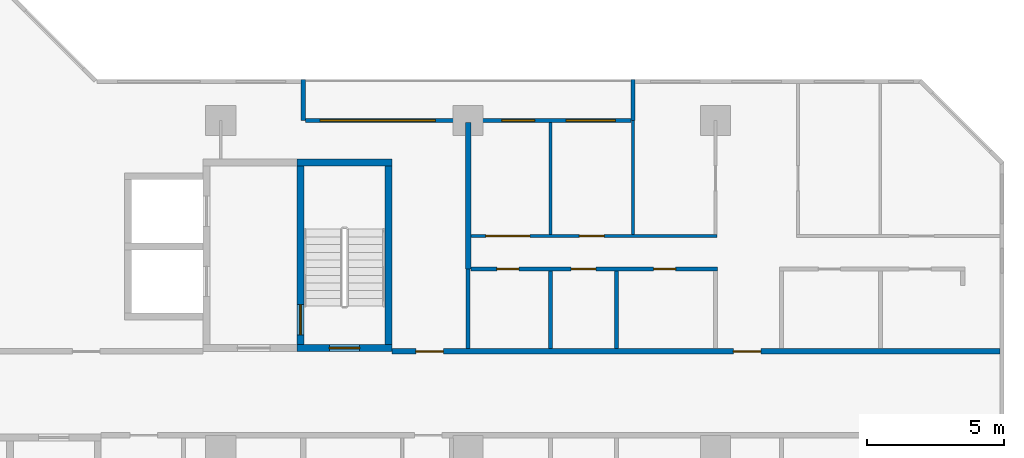
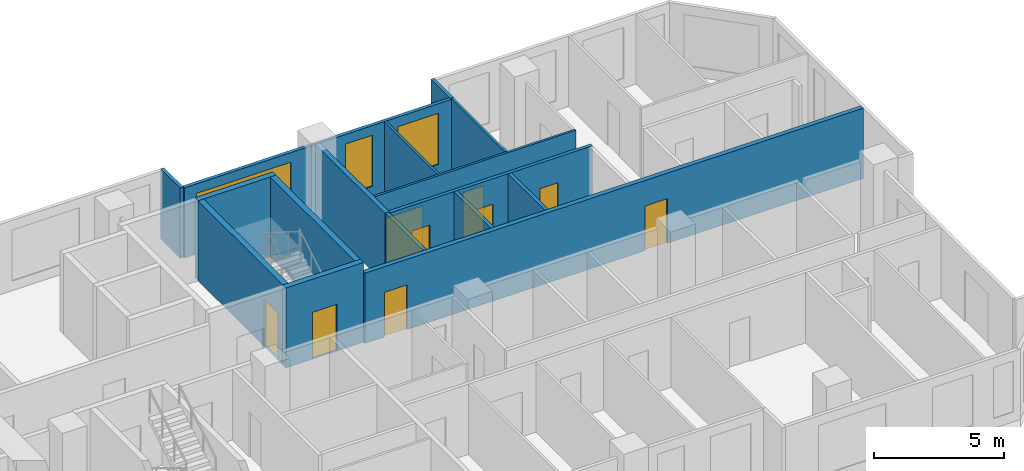
# One storey, part 8 of 16: 16 walls, 9 doors, 3 windows, 12 openings.
"""IFC4 building model written with IfcOpenShell, lengths in metres."""

from ifc_helpers import new_model, si_unit, direction, frame, frame_2d, origin, place, context, subcontext, project, spatial, rectangle, extrude, material, layer, layer_set, type_object, element, fill, save


model = new_model("IFC4")

# Units and contexts
model_context = context("Model", 3, precision=1e-05, world=origin(), true_north=direction((0.0, 1.0)))
body_context = subcontext(model_context, "Body", "Model", "MODEL_VIEW")
ifc_project = project(units=[si_unit("LENGTHUNIT", "METRE"), si_unit("AREAUNIT", "SQUARE_METRE"), si_unit("VOLUMEUNIT", "CUBIC_METRE"), si_unit("PLANEANGLEUNIT", "RADIAN"), si_unit("MASSUNIT", "GRAM", prefix="KILO")], contexts=[model_context])

# Site, building, storey
site_placement = place(None, origin())
site = spatial("IfcSite", under=ifc_project, at=site_placement, CompositionType="ELEMENT")
building_placement = place(site_placement, origin())
building = spatial("IfcBuilding", under=site, at=building_placement, Name="Chenar Terraces", CompositionType="ELEMENT")
storey_placement = place(building_placement, frame((0.0, 0.0, 82.64990234375)))
storey = spatial("IfcBuildingStorey", under=building, at=storey_placement, Name="L18", CompositionType="ELEMENT", Elevation=82.64990234375)

# Wall, opening, door
ifc_material_1 = material(Name="Concrete C70/85", Category="concrete")
ifc_layer_1 = layer(ifc_material_1, 0.25)
ifc_layer_set_1 = layer_set([ifc_layer_1], Name="Concrete C70/85")
wall_type_1 = type_object("IfcWallType", Name="Core wall 250 Concrete C70/85", PredefinedType="SHEAR", material=ifc_layer_set_1)
wall_1_placement = place(storey_placement, frame((47.77490234375, 15.72509765625, 0.0), z_axis=(0.0, 0.0, 1.0), x_axis=(1.0, 0.0, 0.0)))
wall_1 = element("IfcWall", 1, at=wall_1_placement, inside=storey, type_object=wall_type_1, Name="Core wall ST3_S L18", PredefinedType="SHEAR", context=body_context, shape_type="SweptSolid", body=[
    extrude(rectangle(XDim=3.4501953125, YDim=0.25, at=frame_2d((1.72509765625, 0.0))), origin(), (0.0, 0.0, 1.0), 3.75),
])
opening_1_placement = place(wall_1_placement, frame((1.175048828125, 0.0, 0.0)))
opening_1 = element("IfcOpeningElement", 2, at=opening_1_placement, cuts=wall_1, Name="Opening DL18-C8", PredefinedType="OPENING", context=body_context, shape_type="SweptSolid", body=[
    extrude(rectangle(XDim=1.10009765625, YDim=2.199951171875, at=frame_2d((0.550048828125, 1.10009765625))), frame((0.0, 0.135009765625, 0.0), z_axis=(0.0, -1.0, 0.0), x_axis=(1.0, 0.0, 0.0)), (0.0, 0.0, 1.0), 0.27001953125),
])
ifc_material_2 = material(Name="Steel-framed fire-resisting door leaf", Category="steel")
door_type_1 = type_object("IfcDoorType", Name="Stair fire door FD60 1100 x 2200", OperationType="SINGLE_SWING_LEFT", PredefinedType="DOOR", material=ifc_material_2)
door_1_placement = place(opening_1_placement, frame((1.10009765625, 0.0, 0.0), z_axis=(0.0, 0.0, 1.0), x_axis=(-1.0, 0.0, 0.0)))
door_1 = element("IfcDoor", 3, at=door_1_placement, inside=storey, type_object=door_type_1, Name="Stair door DL18-C8", OperationType="SINGLE_SWING_LEFT", OverallHeight=2.199951171875, OverallWidth=1.10009765625, PredefinedType="DOOR", context=body_context, shape_type="SweptSolid", body=[
    extrude(rectangle(XDim=1.10009765625, YDim=2.199951171875, at=frame_2d((0.550048828125, 1.10009765625))), frame((0.0, 0.02490234375, 0.0), z_axis=(0.0, -1.0, 0.0), x_axis=(1.0, 0.0, 0.0)), (0.0, 0.0, 1.0), 0.050048828125),
])
fill(opening_1, door_1)

# Wall
wall_2_placement = place(storey_placement, frame((47.77490234375, 22.47509765625, 0.0), z_axis=(0.0, 0.0, 1.0), x_axis=(1.0, 0.0, 0.0)))
element("IfcWall", 4, at=wall_2_placement, inside=storey, type_object=wall_type_1, Name="Core wall ST3_N L18", PredefinedType="SHEAR", context=body_context, shape_type="SweptSolid", body=[
    extrude(rectangle(XDim=3.4501953125, YDim=0.25, at=frame_2d((1.72509765625, 0.0))), origin(), (0.0, 0.0, 1.0), 3.75),
])

# Wall, opening, door
wall_3_placement = place(storey_placement, frame((47.89990234375, 15.85009765625, 0.0), z_axis=(0.0, 0.0, 1.0), x_axis=(0.0, 1.0, 0.0)))
wall_3 = element("IfcWall", 5, at=wall_3_placement, inside=storey, type_object=wall_type_1, Name="Core wall ST3_W L18", PredefinedType="SHEAR", context=body_context, shape_type="SweptSolid", body=[
    extrude(rectangle(XDim=6.5, YDim=0.25, at=frame_2d((3.25, 0.0))), origin(), (0.0, 0.0, 1.0), 3.75),
])
opening_2_placement = place(wall_3_placement, frame((0.35009765625, 0.0, 0.0)))
opening_2 = element("IfcOpeningElement", 6, at=opening_2_placement, cuts=wall_3, Name="Opening DL18-C11", PredefinedType="OPENING", context=body_context, shape_type="SweptSolid", body=[
    extrude(rectangle(XDim=1.10009765625, YDim=2.199951171875, at=frame_2d((0.550048828125, 1.10009765625))), frame((0.0, 0.135009765625, 0.0), z_axis=(0.0, -1.0, 0.0), x_axis=(1.0, 0.0, 0.0)), (0.0, 0.0, 1.0), 0.27001953125),
])
door_2_placement = place(opening_2_placement, frame((1.10009765625, 0.0, 0.0), z_axis=(0.0, 0.0, 1.0), x_axis=(-1.0, 0.0, 0.0)))
door_2 = element("IfcDoor", 7, at=door_2_placement, inside=storey, type_object=door_type_1, Name="Stair door DL18-C11", OperationType="SINGLE_SWING_RIGHT", OverallHeight=2.199951171875, OverallWidth=1.10009765625, PredefinedType="DOOR", context=body_context, shape_type="SweptSolid", body=[
    extrude(rectangle(XDim=1.10009765625, YDim=2.199951171875, at=frame_2d((0.550048828125, 1.10009765625))), frame((0.0, 0.02490234375, 0.0), z_axis=(0.0, -1.0, 0.0), x_axis=(1.0, 0.0, 0.0)), (0.0, 0.0, 1.0), 0.050048828125),
])
fill(opening_2, door_2)

# Wall
wall_4_placement = place(storey_placement, frame((51.10009765625, 15.85009765625, 0.0), z_axis=(0.0, 0.0, 1.0), x_axis=(0.0, 1.0, 0.0)))
element("IfcWall", 8, at=wall_4_placement, inside=storey, type_object=wall_type_1, Name="Core wall ST3_E L18", PredefinedType="SHEAR", context=body_context, shape_type="SweptSolid", body=[
    extrude(rectangle(XDim=6.5, YDim=0.25, at=frame_2d((3.25, 0.0))), origin(), (0.0, 0.0, 1.0), 3.75),
])

# Wall, openings, doors
ifc_material_3 = material(Name="Gypsum board on steel studs with fire boards", Category="steel")
ifc_layer_2 = layer(ifc_material_3, 0.199951171875)
ifc_layer_set_2 = layer_set([ifc_layer_2], Name="Gypsum board on steel studs with fire boards")
wall_type_2 = type_object("IfcWallType", Name="Corridor wall 200", PredefinedType="PARTITIONING", material=ifc_layer_set_2)
wall_5_placement = place(storey_placement, frame((51.22509765625, 15.60009765625, 0.0), z_axis=(0.0, 0.0, 1.0), x_axis=(1.0, 0.0, 0.0)))
wall_5 = element("IfcWall", 9, at=wall_5_placement, inside=storey, type_object=wall_type_2, Name="Partition L18-076", PredefinedType="PARTITIONING", context=body_context, shape_type="SweptSolid", body=[
    extrude(rectangle(XDim=22.125, YDim=0.199951171875, at=frame_2d((11.0625, 0.0))), origin(), (0.0, 0.0, 1.0), 3.300048828125),
])
opening_3_placement = place(wall_5_placement, frame((12.425048828125, 0.0, 0.0)))
opening_3 = element("IfcOpeningElement", 10, at=opening_3_placement, cuts=wall_5, Name="Opening DL18-11", PredefinedType="OPENING", context=body_context, shape_type="SweptSolid", body=[
    extrude(rectangle(XDim=1.0, YDim=2.10009765625, at=frame_2d((0.5, 1.050048828125))), frame((0.0, 0.10986328125, 0.0), z_axis=(0.0, -1.0, 0.0), x_axis=(1.0, 0.0, 0.0)), (0.0, 0.0, 1.0), 0.219970703125),
])
opening_4_placement = place(wall_5_placement, frame((0.875, 0.0, 0.0)))
opening_4 = element("IfcOpeningElement", 11, at=opening_4_placement, cuts=wall_5, Name="Opening DL18-55", PredefinedType="OPENING", context=body_context, shape_type="SweptSolid", body=[
    extrude(rectangle(XDim=1.0, YDim=2.10009765625, at=frame_2d((0.5, 1.050048828125))), frame((0.0, 0.10986328125, 0.0), z_axis=(0.0, -1.0, 0.0), x_axis=(1.0, 0.0, 0.0)), (0.0, 0.0, 1.0), 0.219970703125),
])
ifc_material_4 = material(Name="Steel-framed fire-resisting door leaf", Category="steel")
door_type_2 = type_object("IfcDoorType", Name="Fire door FD30S 1000 x 2100", OperationType="SINGLE_SWING_LEFT", PredefinedType="DOOR", material=ifc_material_4)
door_3_placement = place(opening_3_placement, origin())
door_3 = element("IfcDoor", 12, at=door_3_placement, inside=storey, type_object=door_type_2, Name="Door DL18-11", OperationType="SINGLE_SWING_LEFT", OverallHeight=2.10009765625, OverallWidth=1.0, PredefinedType="DOOR", context=body_context, shape_type="SweptSolid", body=[
    extrude(rectangle(XDim=1.0, YDim=2.10009765625, at=frame_2d((0.5, 1.050048828125))), frame((0.0, 0.02490234375, 0.0), z_axis=(0.0, -1.0, 0.0), x_axis=(1.0, 0.0, 0.0)), (0.0, 0.0, 1.0), 0.050048828125),
])
fill(opening_3, door_3)
door_4_placement = place(opening_4_placement, origin())
door_4 = element("IfcDoor", 13, at=door_4_placement, inside=storey, type_object=door_type_2, Name="Door DL18-55", OperationType="SINGLE_SWING_RIGHT", OverallHeight=2.10009765625, OverallWidth=1.0, PredefinedType="DOOR", context=body_context, shape_type="SweptSolid", body=[
    extrude(rectangle(XDim=1.0, YDim=2.10009765625, at=frame_2d((0.5, 1.050048828125))), frame((0.0, 0.02490234375, 0.0), z_axis=(0.0, -1.0, 0.0), x_axis=(1.0, 0.0, 0.0)), (0.0, 0.0, 1.0), 0.050048828125),
])
fill(opening_4, door_4)

# Wall, openings, windows
ifc_material_5 = material(Name="Aluminium framed glazing", Category="aluminium")
ifc_layer_3 = layer(ifc_material_5, 0.14990234375)
ifc_layer_set_3 = layer_set([ifc_layer_3], Name="Aluminium framed glazing")
wall_type_3 = type_object("IfcWallType", Name="Glazed loggia back wall 150", PredefinedType="SOLIDWALL", material=ifc_layer_set_3)
wall_6_placement = place(storey_placement, frame((59.925048828125, 24.0, 0.0), z_axis=(0.0, 0.0, 1.0), x_axis=(-1.0, 0.0, 0.0)))
wall_6 = element("IfcWall", 14, at=wall_6_placement, inside=storey, type_object=wall_type_3, Name="Glazed loggia back wall", PredefinedType="SOLIDWALL", context=body_context, shape_type="SweptSolid", body=[
    extrude(rectangle(XDim=11.85009765625, YDim=0.14990234375, at=frame_2d((5.925048828125, 0.0))), origin(), (0.0, 0.0, 1.0), 3.300048828125),
])
opening_5_placement = place(wall_6_placement, frame((0.5625, 0.0, 0.449951171875)))
opening_5 = element("IfcOpeningElement", 15, at=opening_5_placement, cuts=wall_6, Name="Opening W180x240", PredefinedType="OPENING", context=body_context, shape_type="SweptSolid", body=[
    extrude(rectangle(XDim=1.800048828125, YDim=2.39990234375, at=frame_2d((0.89990234375, 1.199951171875))), frame((0.0, 0.0849609375, 0.0), z_axis=(0.0, -1.0, 0.0), x_axis=(1.0, 0.0, 0.0)), (0.0, 0.0, 1.0), 0.169921875),
])
opening_6_placement = place(wall_6_placement, frame((3.5, 0.0, 0.449951171875)))
opening_6 = element("IfcOpeningElement", 16, at=opening_6_placement, cuts=wall_6, Name="Opening W120x240", PredefinedType="OPENING", context=body_context, shape_type="SweptSolid", body=[
    extrude(rectangle(XDim=1.199951171875, YDim=2.39990234375, at=frame_2d((0.60009765625, 1.199951171875))), frame((0.0, 0.0849609375, 0.0), z_axis=(0.0, -1.0, 0.0), x_axis=(1.0, 0.0, 0.0)), (0.0, 0.0, 1.0), 0.169921875),
])
opening_7_placement = place(wall_6_placement, frame((7.112548828125, 0.0, 0.449951171875)))
opening_7 = element("IfcOpeningElement", 17, at=opening_7_placement, cuts=wall_6, Name="Opening W420x240", PredefinedType="OPENING", context=body_context, shape_type="SweptSolid", body=[
    extrude(rectangle(XDim=4.199951171875, YDim=2.39990234375, at=frame_2d((2.10009765625, 1.199951171875))), frame((0.0, 0.0849609375, 0.0), z_axis=(0.0, -1.0, 0.0), x_axis=(1.0, 0.0, 0.0)), (0.0, 0.0, 1.0), 0.169921875),
])
ifc_material_6 = material(Name="Low emissivity double glazing, aluminium frame", Category="aluminium")
window_type_1 = type_object("IfcWindowType", Name="Fixed light 1200 x 2400", PartitioningType="SINGLE_PANEL", PredefinedType="WINDOW", material=ifc_material_6)
window_1_placement = place(opening_6_placement, origin())
window_1 = element("IfcWindow", 18, at=window_1_placement, inside=storey, type_object=window_type_1, Name="Window", OverallHeight=2.39990234375, OverallWidth=1.199951171875, PartitioningType="SINGLE_PANEL", PredefinedType="WINDOW", context=body_context, shape_type="SweptSolid", body=[
    extrude(rectangle(XDim=1.199951171875, YDim=2.39990234375, at=frame_2d((0.60009765625, 1.199951171875))), frame((0.0, 0.030029296875, 0.0), z_axis=(0.0, -1.0, 0.0), x_axis=(1.0, 0.0, 0.0)), (0.0, 0.0, 1.0), 0.06005859375),
])
fill(opening_6, window_1)
ifc_material_7 = material(Name="Low emissivity double glazing, aluminium frame", Category="aluminium")
window_type_2 = type_object("IfcWindowType", Name="Fixed light 1800 x 2400", PartitioningType="SINGLE_PANEL", PredefinedType="WINDOW", material=ifc_material_7)
window_2_placement = place(opening_5_placement, origin())
window_2 = element("IfcWindow", 19, at=window_2_placement, inside=storey, type_object=window_type_2, Name="Window", OverallHeight=2.39990234375, OverallWidth=1.800048828125, PartitioningType="SINGLE_PANEL", PredefinedType="WINDOW", context=body_context, shape_type="SweptSolid", body=[
    extrude(rectangle(XDim=1.800048828125, YDim=2.39990234375, at=frame_2d((0.89990234375, 1.199951171875))), frame((0.0, 0.030029296875, 0.0), z_axis=(0.0, -1.0, 0.0), x_axis=(1.0, 0.0, 0.0)), (0.0, 0.0, 1.0), 0.06005859375),
])
fill(opening_5, window_2)
ifc_material_8 = material(Name="Low emissivity double glazing, aluminium frame", Category="aluminium")
window_type_3 = type_object("IfcWindowType", Name="Fixed light 4200 x 2400", PartitioningType="SINGLE_PANEL", PredefinedType="WINDOW", material=ifc_material_8)
window_3_placement = place(opening_7_placement, origin())
window_3 = element("IfcWindow", 20, at=window_3_placement, inside=storey, type_object=window_type_3, Name="Window", OverallHeight=2.39990234375, OverallWidth=4.199951171875, PartitioningType="SINGLE_PANEL", PredefinedType="WINDOW", context=body_context, shape_type="SweptSolid", body=[
    extrude(rectangle(XDim=4.199951171875, YDim=2.39990234375, at=frame_2d((2.10009765625, 1.199951171875))), frame((0.0, 0.030029296875, 0.0), z_axis=(0.0, -1.0, 0.0), x_axis=(1.0, 0.0, 0.0)), (0.0, 0.0, 1.0), 0.06005859375),
])
fill(opening_7, window_3)

# Wall, openings, doors
ifc_material_9 = material(Name="Gypsum board on steel studs", Category="steel")
ifc_layer_4 = layer(ifc_material_9, 0.10009765625)
ifc_layer_set_4 = layer_set([ifc_layer_4], Name="Gypsum board on steel studs")
wall_type_4 = type_object("IfcWallType", Name="Gypsum partition 100", PredefinedType="PARTITIONING", material=ifc_layer_set_4)
wall_7_placement = place(storey_placement, frame((54.10009765625, 19.800048828125, 0.0), z_axis=(0.0, 0.0, 1.0), x_axis=(1.0, 0.0, 0.0)))
wall_7 = element("IfcWall", 21, at=wall_7_placement, inside=storey, type_object=wall_type_4, Name="Partition L18-084", PredefinedType="PARTITIONING", context=body_context, shape_type="SweptSolid", body=[
    extrude(rectangle(XDim=8.949951171875, YDim=0.10009765625, at=frame_2d((4.47509765625, 0.0))), origin(), (0.0, 0.0, 1.0), 3.300048828125),
])
opening_8_placement = place(wall_7_placement, frame((0.550048828125, 0.0, 0.0)))
opening_8 = element("IfcOpeningElement", 22, at=opening_8_placement, cuts=wall_7, Name="Opening DL18-12", PredefinedType="OPENING", context=body_context, shape_type="SweptSolid", body=[
    extrude(rectangle(XDim=1.60009765625, YDim=2.10009765625, at=frame_2d((0.800048828125, 1.050048828125))), frame((0.0, 0.06005859375, 0.0), z_axis=(0.0, -1.0, 0.0), x_axis=(1.0, 0.0, 0.0)), (0.0, 0.0, 1.0), 0.1201171875),
])
opening_9_placement = place(wall_7_placement, frame((3.949951171875, 0.0, 0.0)))
opening_9 = element("IfcOpeningElement", 23, at=opening_9_placement, cuts=wall_7, Name="Opening DL18-13", PredefinedType="OPENING", context=body_context, shape_type="SweptSolid", body=[
    extrude(rectangle(XDim=0.89990234375, YDim=2.10009765625, at=frame_2d((0.449951171875, 1.050048828125))), frame((0.0, 0.06005859375, 0.0), z_axis=(0.0, -1.0, 0.0), x_axis=(1.0, 0.0, 0.0)), (0.0, 0.0, 1.0), 0.1201171875),
])
ifc_material_10 = material(Name="Veneered timber door leaf", Category="wood")
door_type_3 = type_object("IfcDoorType", Name="Door 900 x 2100", OperationType="SINGLE_SWING_LEFT", PredefinedType="DOOR", material=ifc_material_10)
door_5_placement = place(opening_9_placement, origin())
door_5 = element("IfcDoor", 24, at=door_5_placement, inside=storey, type_object=door_type_3, Name="Door DL18-13", OperationType="SINGLE_SWING_RIGHT", OverallHeight=2.10009765625, OverallWidth=0.89990234375, PredefinedType="DOOR", context=body_context, shape_type="SweptSolid", body=[
    extrude(rectangle(XDim=0.89990234375, YDim=2.10009765625, at=frame_2d((0.449951171875, 1.050048828125))), frame((0.0, 0.02490234375, 0.0), z_axis=(0.0, -1.0, 0.0), x_axis=(1.0, 0.0, 0.0)), (0.0, 0.0, 1.0), 0.050048828125),
])
fill(opening_9, door_5)
ifc_material_11 = material(Name="Veneered timber door leaf", Category="wood")
door_type_4 = type_object("IfcDoorType", Name="Double door 1600 x 2100", OperationType="DOUBLE_DOOR_SINGLE_SWING", PredefinedType="DOOR", material=ifc_material_11)
door_6_placement = place(opening_8_placement, origin())
door_6 = element("IfcDoor", 25, at=door_6_placement, inside=storey, type_object=door_type_4, Name="Door DL18-12", OperationType="DOUBLE_DOOR_SINGLE_SWING", OverallHeight=2.10009765625, OverallWidth=1.60009765625, PredefinedType="DOOR", context=body_context, shape_type="SweptSolid", body=[
    extrude(rectangle(XDim=1.60009765625, YDim=2.10009765625, at=frame_2d((0.800048828125, 1.050048828125))), frame((0.0, 0.02490234375, 0.0), z_axis=(0.0, -1.0, 0.0), x_axis=(1.0, 0.0, 0.0)), (0.0, 0.0, 1.0), 0.050048828125),
])
fill(opening_8, door_6)

# Walls
wall_8_placement = place(storey_placement, frame((57.0, 19.85009765625, 0.0), z_axis=(0.0, 0.0, 1.0), x_axis=(0.0, 1.0, 0.0)))
element("IfcWall", 26, at=wall_8_placement, inside=storey, type_object=wall_type_4, Name="Partition L18-088", PredefinedType="PARTITIONING", context=body_context, shape_type="SweptSolid", body=[
    extrude(rectangle(XDim=4.075927734375, YDim=0.10009765625, at=frame_2d((2.0380859375, 0.0))), origin(), (0.0, 0.0, 1.0), 3.300048828125),
])
wall_9_placement = place(storey_placement, frame((60.0, 19.85009765625, 0.0), z_axis=(0.0, 0.0, 1.0), x_axis=(0.0, 1.0, 0.0)))
element("IfcWall", 27, at=wall_9_placement, inside=storey, type_object=wall_type_4, Name="Partition L18-092", PredefinedType="PARTITIONING", context=body_context, shape_type="SweptSolid", body=[
    extrude(rectangle(XDim=4.14990234375, YDim=0.10009765625, at=frame_2d((2.074951171875, 0.0))), origin(), (0.0, 0.0, 1.0), 3.300048828125),
])
ifc_material_12 = material(Name="Terracotta cladding on insulated backing", Category="masonry")
ifc_layer_5 = layer(ifc_material_12, 0.14990234375)
ifc_layer_set_5 = layer_set([ifc_layer_5], Name="Terracotta cladding on insulated backing")
wall_type_5 = type_object("IfcWallType", Name="Loggia return wall 150", PredefinedType="SOLIDWALL", material=ifc_layer_set_5)
for number, where, z_axis, x_axis, name in (
    (28, (60.0, 25.5, 0.0), (0.0, 0.0, 1.0), (0.0, -1.0, 0.0), "Loggia return wall"),
    (29, (48.0, 25.5, 0.0), (0.0, 0.0, 1.0), (0.0, -1.0, 0.0), "Loggia return wall"),
):
    element("IfcWall", number, at=place(storey_placement, frame(where, z_axis=z_axis, x_axis=x_axis)), inside=storey, type_object=wall_type_5, Name=name, PredefinedType="SOLIDWALL", context=body_context, shape_type="SweptSolid", body=[
        extrude(rectangle(XDim=1.5, YDim=0.14990234375, at=frame_2d((0.75, 0.0))), origin(), (0.0, 0.0, 1.0), 3.300048828125),
    ])
ifc_material_13 = material(Name="Twin gypsum board on steel studs with mineral wool", Category="steel")
ifc_layer_6 = layer(ifc_material_13, 0.199951171875)
ifc_layer_set_6 = layer_set([ifc_layer_6], Name="Twin gypsum board on steel studs with mineral wool")
wall_type_6 = type_object("IfcWallType", Name="Unit demising wall 200", PredefinedType="PARTITIONING", material=ifc_layer_set_6)
wall_10_placement = place(storey_placement, frame((54.0, 18.60009765625, 0.0), z_axis=(0.0, 0.0, 1.0), x_axis=(0.0, 1.0, 0.0)))
element("IfcWall", 30, at=wall_10_placement, inside=storey, type_object=wall_type_6, Name="Partition L18-082", PredefinedType="PARTITIONING", context=body_context, shape_type="SweptSolid", body=[
    extrude(rectangle(XDim=5.325927734375, YDim=0.199951171875, at=frame_2d((2.6630859375, 0.0))), origin(), (0.0, 0.0, 1.0), 3.300048828125),
])
ifc_material_14 = material(Name="Moisture-resistant gypsum board on steel studs", Category="steel")
ifc_layer_7 = layer(ifc_material_14, 0.14990234375)
ifc_layer_set_7 = layer_set([ifc_layer_7], Name="Moisture-resistant gypsum board on steel studs")
wall_type_7 = type_object("IfcWallType", Name="Wet-room partition 150", PredefinedType="PARTITIONING", material=ifc_layer_set_7)
wall_11_placement = place(storey_placement, frame((54.0, 15.699951171875, 0.0), z_axis=(0.0, 0.0, 1.0), x_axis=(0.0, 1.0, 0.0)))
element("IfcWall", 31, at=wall_11_placement, inside=storey, type_object=wall_type_7, Name="Partition L18-081", PredefinedType="PARTITIONING", context=body_context, shape_type="SweptSolid", body=[
    extrude(rectangle(XDim=2.900146484375, YDim=0.14990234375, at=frame_2d((1.4501953125, 0.0))), origin(), (0.0, 0.0, 1.0), 3.300048828125),
])

# Wall, openings, doors
wall_12_placement = place(storey_placement, frame((54.10009765625, 18.60009765625, 0.0), z_axis=(0.0, 0.0, 1.0), x_axis=(1.0, 0.0, 0.0)))
wall_12 = element("IfcWall", 32, at=wall_12_placement, inside=storey, type_object=wall_type_7, Name="Partition L18-083", PredefinedType="PARTITIONING", context=body_context, shape_type="SweptSolid", body=[
    extrude(rectangle(XDim=8.974853515625, YDim=0.14990234375, at=frame_2d((4.4873046875, 0.0))), origin(), (0.0, 0.0, 1.0), 3.300048828125),
])
opening_10_placement = place(wall_12_placement, frame((6.64990234375, 0.0, 0.0)))
opening_10 = element("IfcOpeningElement", 33, at=opening_10_placement, cuts=wall_12, Name="Opening DL18-4", PredefinedType="OPENING", context=body_context, shape_type="SweptSolid", body=[
    extrude(rectangle(XDim=0.800048828125, YDim=2.10009765625, at=frame_2d((0.39990234375, 1.050048828125))), frame((0.0, 0.0849609375, 0.0), z_axis=(0.0, -1.0, 0.0), x_axis=(1.0, 0.0, 0.0)), (0.0, 0.0, 1.0), 0.169921875),
])
opening_11_placement = place(wall_12_placement, frame((3.64990234375, 0.0, 0.0)))
opening_11 = element("IfcOpeningElement", 34, at=opening_11_placement, cuts=wall_12, Name="Opening DL18-8", PredefinedType="OPENING", context=body_context, shape_type="SweptSolid", body=[
    extrude(rectangle(XDim=0.89990234375, YDim=2.10009765625, at=frame_2d((0.449951171875, 1.050048828125))), frame((0.0, 0.0849609375, 0.0), z_axis=(0.0, -1.0, 0.0), x_axis=(1.0, 0.0, 0.0)), (0.0, 0.0, 1.0), 0.169921875),
])
opening_12_placement = place(wall_12_placement, frame((0.949951171875, 0.0, 0.0)))
opening_12 = element("IfcOpeningElement", 35, at=opening_12_placement, cuts=wall_12, Name="Opening DL18-9", PredefinedType="OPENING", context=body_context, shape_type="SweptSolid", body=[
    extrude(rectangle(XDim=0.800048828125, YDim=2.10009765625, at=frame_2d((0.39990234375, 1.050048828125))), frame((0.0, 0.0849609375, 0.0), z_axis=(0.0, -1.0, 0.0), x_axis=(1.0, 0.0, 0.0)), (0.0, 0.0, 1.0), 0.169921875),
])
ifc_material_15 = material(Name="Veneered timber door leaf", Category="wood")
door_type_5 = type_object("IfcDoorType", Name="Door 800 x 2100", OperationType="SINGLE_SWING_LEFT", PredefinedType="DOOR", material=ifc_material_15)
door_7_placement = place(opening_10_placement, frame((0.800048828125, 0.0, 0.0), z_axis=(0.0, 0.0, 1.0), x_axis=(-1.0, 0.0, 0.0)))
door_7 = element("IfcDoor", 36, at=door_7_placement, inside=storey, type_object=door_type_5, Name="Door DL18-4", OperationType="SINGLE_SWING_RIGHT", OverallHeight=2.10009765625, OverallWidth=0.800048828125, PredefinedType="DOOR", context=body_context, shape_type="SweptSolid", body=[
    extrude(rectangle(XDim=0.800048828125, YDim=2.10009765625, at=frame_2d((0.39990234375, 1.050048828125))), frame((0.0, 0.02490234375, 0.0), z_axis=(0.0, -1.0, 0.0), x_axis=(1.0, 0.0, 0.0)), (0.0, 0.0, 1.0), 0.050048828125),
])
fill(opening_10, door_7)
door_8_placement = place(opening_12_placement, frame((0.800048828125, 0.0, 0.0), z_axis=(0.0, 0.0, 1.0), x_axis=(-1.0, 0.0, 0.0)))
door_8 = element("IfcDoor", 37, at=door_8_placement, inside=storey, type_object=door_type_5, Name="Door DL18-9", OperationType="SINGLE_SWING_RIGHT", OverallHeight=2.10009765625, OverallWidth=0.800048828125, PredefinedType="DOOR", context=body_context, shape_type="SweptSolid", body=[
    extrude(rectangle(XDim=0.800048828125, YDim=2.10009765625, at=frame_2d((0.39990234375, 1.050048828125))), frame((0.0, 0.02490234375, 0.0), z_axis=(0.0, -1.0, 0.0), x_axis=(1.0, 0.0, 0.0)), (0.0, 0.0, 1.0), 0.050048828125),
])
fill(opening_12, door_8)
door_9_placement = place(opening_11_placement, frame((0.89990234375, 0.0, 0.0), z_axis=(0.0, 0.0, 1.0), x_axis=(-1.0, 0.0, 0.0)))
door_9 = element("IfcDoor", 38, at=door_9_placement, inside=storey, type_object=door_type_3, Name="Door DL18-8", OperationType="SINGLE_SWING_LEFT", OverallHeight=2.10009765625, OverallWidth=0.89990234375, PredefinedType="DOOR", context=body_context, shape_type="SweptSolid", body=[
    extrude(rectangle(XDim=0.89990234375, YDim=2.10009765625, at=frame_2d((0.449951171875, 1.050048828125))), frame((0.0, 0.02490234375, 0.0), z_axis=(0.0, -1.0, 0.0), x_axis=(1.0, 0.0, 0.0)), (0.0, 0.0, 1.0), 0.050048828125),
])
fill(opening_11, door_9)

# Walls
for number, where, z_axis, x_axis, name in (
    (39, (57.0, 15.699951171875, 0.0), (0.0, 0.0, 1.0), (0.0, 1.0, 0.0), "Partition L18-087"),
    (40, (59.39990234375, 15.699951171875, 0.0), (0.0, 0.0, 1.0), (0.0, 1.0, 0.0), "Partition L18-090"),
):
    element("IfcWall", number, at=place(storey_placement, frame(where, z_axis=z_axis, x_axis=x_axis)), inside=storey, type_object=wall_type_7, Name=name, PredefinedType="PARTITIONING", context=body_context, shape_type="SweptSolid", body=[
        extrude(rectangle(XDim=2.824951171875, YDim=0.14990234375, at=frame_2d((1.41259765625, 0.0))), origin(), (0.0, 0.0, 1.0), 3.300048828125),
    ])

save(model, "model.ifc")
